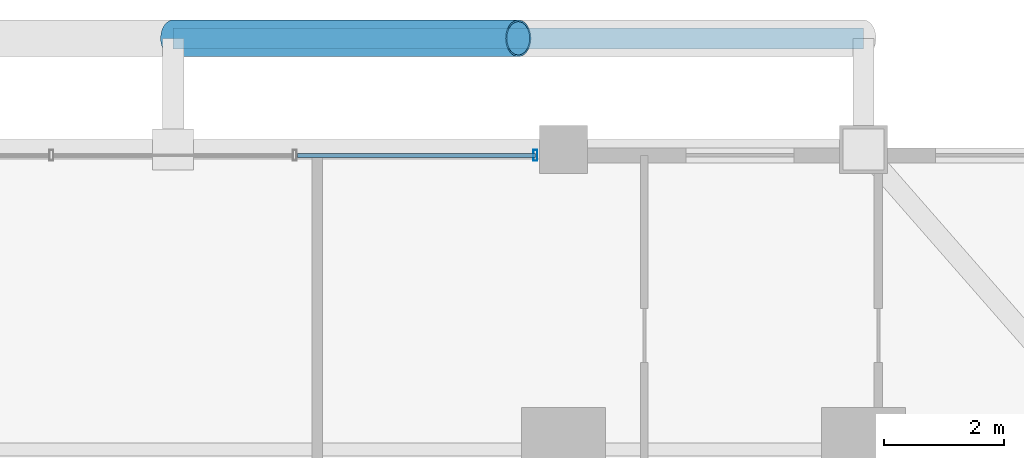
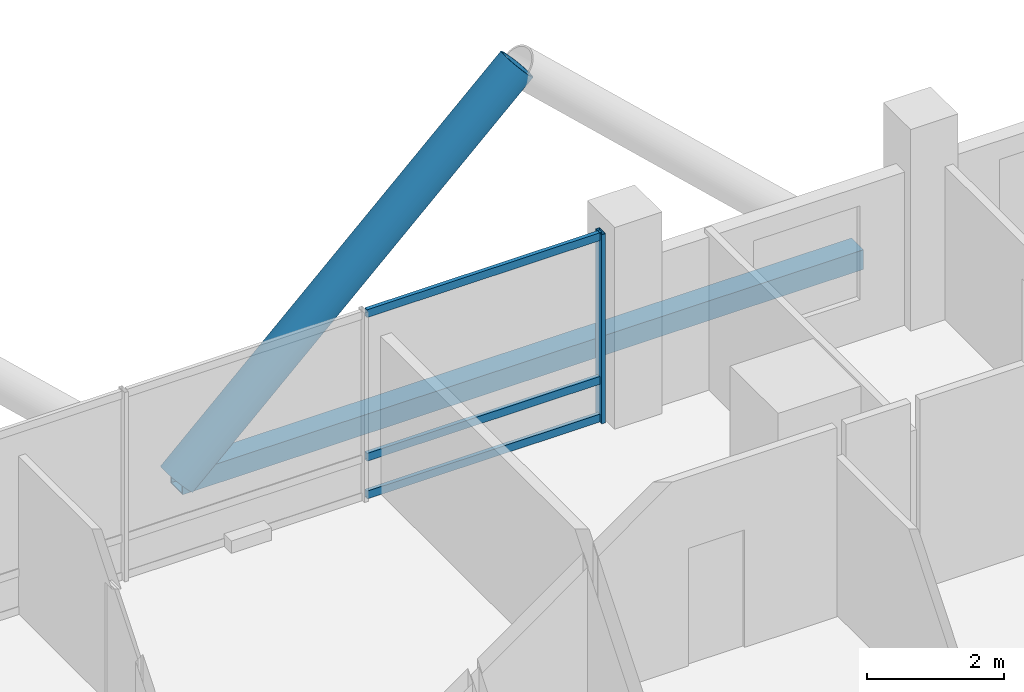
# One storey, part 17 of 27: 6 members, 1 element without a shape of its own.
"""IFC4 building model written with IfcOpenShell, lengths in metres."""

from ifc_helpers import new_model, si_unit, direction, frame, origin, origin_2d, place, context, subcontext, project, spatial, hollow_rectangle, hollow_circle, extrude, material, layer, layer_set, material_profile, profile_set, type_object, element, aggregate, save


model = new_model("IFC4")

# Units and contexts
model_context = context("Model", 3, precision=1e-05, world=origin(), true_north=direction((0.0, 1.0)))
body_context = subcontext(model_context, "Body", "Model", "MODEL_VIEW")
ifc_project = project(units=[si_unit("LENGTHUNIT", "METRE"), si_unit("AREAUNIT", "SQUARE_METRE"), si_unit("VOLUMEUNIT", "CUBIC_METRE"), si_unit("PLANEANGLEUNIT", "RADIAN"), si_unit("MASSUNIT", "GRAM", prefix="KILO")], contexts=[model_context])

# Site, building, storey
site_placement = place(None, origin())
site = spatial("IfcSite", under=ifc_project, at=site_placement, CompositionType="ELEMENT")
building_placement = place(site_placement, origin())
building = spatial("IfcBuilding", under=site, at=building_placement, Name="Barlavira Tower and Art Museum", CompositionType="ELEMENT")
storey_placement = place(building_placement, frame((0.0, 0.0, 61.199951171875)))
storey = spatial("IfcBuildingStorey", under=building, at=storey_placement, Name="L14", CompositionType="ELEMENT", Elevation=61.199951171875)

# Curtain wall, members
ifc_material_1 = material(Name="Low-iron coastal laminated glass", Category="glass")
ifc_layer = layer(ifc_material_1, 0.179931640625, Name="Low-iron coastal laminated glass")
ifc_layer_set = layer_set([ifc_layer], Name="Low-iron coastal laminated glass")
curtain_wall_type = type_object("IfcCurtainWallType", Name="Pale-Metal Unitised Curtain Wall Zone 1", PredefinedType="NOTDEFINED", material=ifc_layer_set)
curtain_wall_placement = place(storey_placement, origin())
curtain_wall = element("IfcCurtainWall", 1, at=curtain_wall_placement, inside=storey, type_object=curtain_wall_type, Name="L14 Curtain Wall CW1-L14-N-B3", PredefinedType="NOTDEFINED")
ifc_material_2 = material(Name="Pale anodised aluminium", Category="aluminium")
ifc_material_profile_1 = material_profile(ifc_material_2, hollow_rectangle(XDim=0.06494140625, YDim=0.179931640625, WallThickness=0.00390625, at=origin_2d()), Name="ALU-MULL 65x180x4")
ifc_profile_set_1 = profile_set([ifc_material_profile_1], Name="Pale anodised aluminium")
member_type_1 = type_object("IfcMemberType", Name="Curtain Wall Pale-Metal Mullion 65x180", PredefinedType="MULLION", material=ifc_profile_set_1)
member_1_placement = place(storey_placement, frame((6.034912109375, 24.89990234375, 0.0), z_axis=(0.0, 0.0, 1.0), x_axis=(-1.0, 0.0, 0.0)))
member_1 = element("IfcMember", 2, at=member_1_placement, type_object=member_type_1, Name="CW1-L14-N-B3 Mullion 0", PredefinedType="MULLION", context=body_context, shape_type="SweptSolid", body=[
    extrude(hollow_rectangle(XDim=0.06494140625, YDim=0.179931640625, WallThickness=0.00390625, at=origin_2d()), origin(), (0.0, 0.0, 1.0), 3.380126953125),
])
ifc_material_profile_2 = material_profile(ifc_material_2, hollow_rectangle(XDim=0.06494140625, YDim=0.139892578125, WallThickness=0.00390625, at=origin_2d()), Name="ALU-TRAN 65x140x4")
ifc_profile_set_2 = profile_set([ifc_material_profile_2], Name="Pale anodised aluminium")
member_type_2 = type_object("IfcMemberType", Name="Curtain Wall Pale-Metal Transom 65x140", PredefinedType="USERDEFINED", material=ifc_profile_set_2)
member_2_placement = place(storey_placement, frame((6.034912109375, 24.89990234375, 0.070068359375), z_axis=(-1.0, 0.0, 0.0), x_axis=(0.0, -1.0, 0.0)))
member_2 = element("IfcMember", 3, at=member_2_placement, type_object=member_type_2, Name="CW1-L14-N-B3 Transom 0.1", ObjectType="TRANSOM", PredefinedType="USERDEFINED", context=body_context, shape_type="SweptSolid", body=[
    extrude(hollow_rectangle(XDim=0.06494140625, YDim=0.139892578125, WallThickness=0.00390625, at=origin_2d()), origin(), (0.0, 0.0, 1.0), 3.963134765625),
])
member_3_placement = place(storey_placement, frame((6.034912109375, 24.89990234375, 0.744140625), z_axis=(-1.0, 0.0, 0.0), x_axis=(0.0, -1.0, 0.0)))
member_3 = element("IfcMember", 4, at=member_3_placement, type_object=member_type_2, Name="CW1-L14-N-B3 Transom 0.2", ObjectType="TRANSOM", PredefinedType="USERDEFINED", context=body_context, shape_type="SweptSolid", body=[
    extrude(hollow_rectangle(XDim=0.06494140625, YDim=0.139892578125, WallThickness=0.00390625, at=origin_2d()), origin(), (0.0, 0.0, 1.0), 3.963134765625),
])
member_4_placement = place(storey_placement, frame((6.034912109375, 24.89990234375, 3.31005859375), z_axis=(-1.0, 0.0, 0.0), x_axis=(0.0, -1.0, 0.0)))
member_4 = element("IfcMember", 5, at=member_4_placement, type_object=member_type_2, Name="CW1-L14-N-B3 Transom 0.3", ObjectType="TRANSOM", PredefinedType="USERDEFINED", context=body_context, shape_type="SweptSolid", body=[
    extrude(hollow_rectangle(XDim=0.06494140625, YDim=0.139892578125, WallThickness=0.00390625, at=origin_2d()), origin(), (0.0, 0.0, 1.0), 3.963134765625),
])
aggregate(curtain_wall, [member_1, member_2, member_3, member_4])

# Members
ifc_material_3 = material(Name="Steel S355", Category="steel")
ifc_material_profile_3 = material_profile(ifc_material_3, hollow_circle(Radius=0.304931640625, WallThickness=0.028076171875, at=origin_2d()), Name="CHS 610.0x28.0")
ifc_profile_set_3 = profile_set([ifc_material_profile_3], Name="Steel S355")
member_type_3 = type_object("IfcMemberType", Name="Pale-Metal Exoskeleton Diagrid Tube CHS 610x28 Steel S355", PredefinedType="BRACE", material=ifc_profile_set_3)
member_5_placement = place(storey_placement, frame((0.0, 26.85009765625, -0.119873046875), z_axis=(0.728950095515, 0.0, 0.684566839869), x_axis=(0.0, 1.0, 0.0)))
element("IfcMember", 6, at=member_5_placement, inside=storey, type_object=member_type_3, Name="L14 Exoskeleton Diagrid Tube N", PredefinedType="BRACE", context=body_context, shape_type="SweptSolid", body=[
    extrude(hollow_circle(Radius=0.304931640625, WallThickness=0.028076171875, at=origin_2d()), origin(), (0.0, 0.0, 1.0), 7.887939453125),
])
ifc_material_profile_4 = material_profile(ifc_material_3, hollow_rectangle(XDim=0.35009765625, YDim=0.35009765625, WallThickness=0.02001953125, at=origin_2d()), Name="SHS 350x350x20.0")
ifc_profile_set_4 = profile_set([ifc_material_profile_4], Name="Steel S355")
member_type_4 = type_object("IfcMemberType", Name="Pale-Metal Exoskeleton Ring Strut SHS 350x350x20 Steel S355", PredefinedType="STRUT", material=ifc_profile_set_4)
member_6_placement = place(storey_placement, frame((0.0, 26.85009765625, -0.119873046875), z_axis=(1.0, 0.0, 0.0), x_axis=(0.0, 1.0, 0.0)))
element("IfcMember", 7, at=member_6_placement, inside=storey, type_object=member_type_4, Name="L14 Exoskeleton Ring Strut N", PredefinedType="STRUT", context=body_context, shape_type="SweptSolid", body=[
    extrude(hollow_rectangle(XDim=0.35009765625, YDim=0.35009765625, WallThickness=0.02001953125, at=origin_2d()), origin(), (0.0, 0.0, 1.0), 11.5),
])

save(model, "model.ifc")
